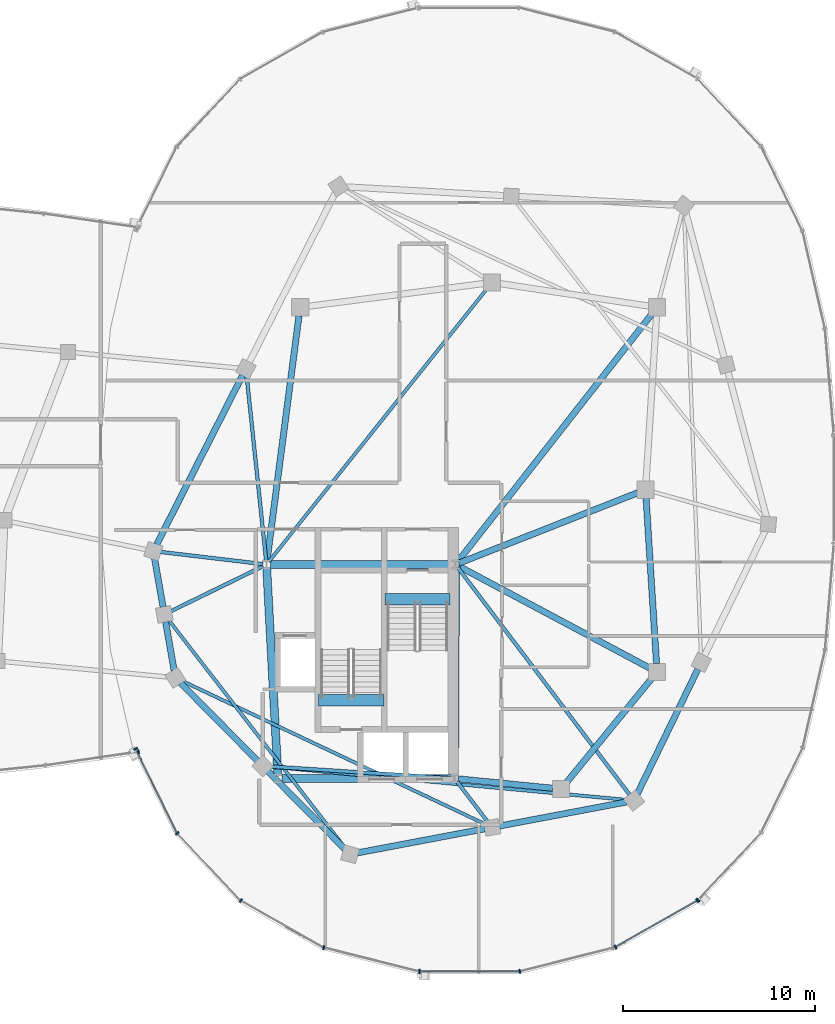
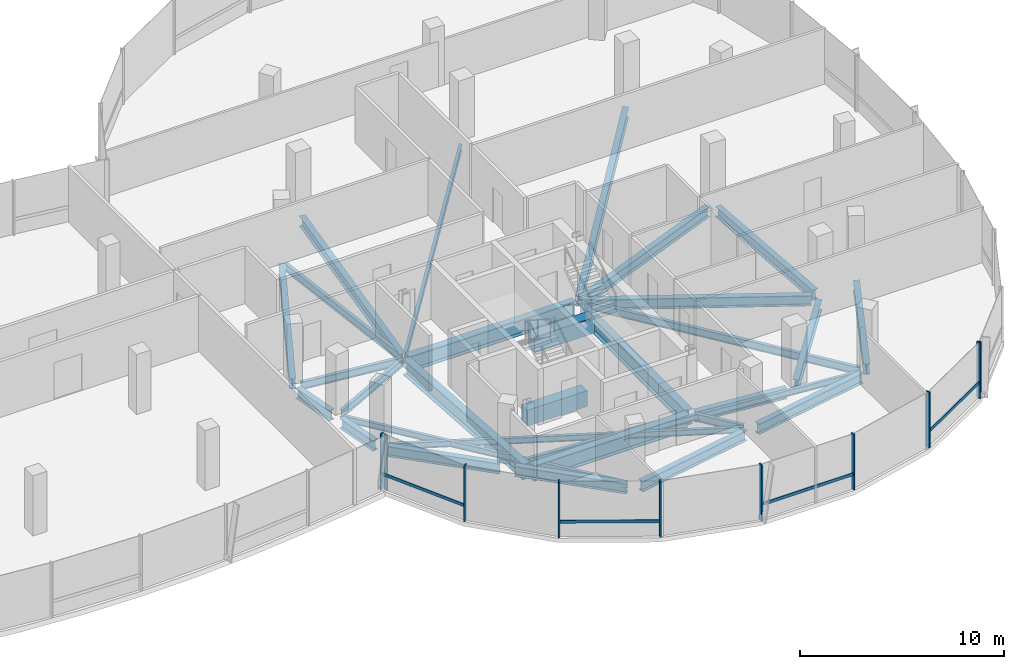
# One storey, part 8 of 26: 31 beams, 14 members, 3 elements without a shape of their own.
"""IFC4 building model written with IfcOpenShell, lengths in metres."""

from ifc_helpers import new_model, si_unit, direction, frame, origin, origin_2d, place, context, subcontext, project, spatial, rectangle, i_section, extrude, material, material_profile, profile_set, type_object, element, aggregate, save


model = new_model("IFC4")

# Units and contexts
model_context = context("Model", 3, precision=1e-05, world=origin(), true_north=direction((0.0, 1.0)))
body_context = subcontext(model_context, "Body", "Model", "MODEL_VIEW")
ifc_project = project(units=[si_unit("LENGTHUNIT", "METRE"), si_unit("AREAUNIT", "SQUARE_METRE"), si_unit("VOLUMEUNIT", "CUBIC_METRE"), si_unit("PLANEANGLEUNIT", "RADIAN"), si_unit("MASSUNIT", "GRAM", prefix="KILO"), si_unit("THERMODYNAMICTEMPERATUREUNIT", "KELVIN"), si_unit("POWERUNIT", "WATT")], contexts=[model_context])

# Site, building, storey
site_placement = place(None, origin())
site = spatial("IfcSite", under=ifc_project, at=site_placement, CompositionType="ELEMENT")
building_placement = place(site_placement, origin())
building = spatial("IfcBuilding", under=site, at=building_placement, Name="Cundina Bronze Exchange", CompositionType="ELEMENT")
storey_placement = place(building_placement, frame((0.0, 0.0, 261.199951171875)))
storey = spatial("IfcBuildingStorey", under=building, at=storey_placement, Name="L69", CompositionType="ELEMENT", Elevation=261.199951171875)

# Beams
ifc_material_1 = material(Name="Concrete C60/75", Category="concrete")
ifc_material_profile_1 = material_profile(ifc_material_1, rectangle(XDim=0.60009765625, YDim=0.949951171875, at=origin_2d()), Name="RC600X950", Category="concrete")
ifc_profile_set_1 = profile_set([ifc_material_profile_1], Name="Concrete C60/75")
beam_type_1 = type_object("IfcBeamType", Name="BM-COUP-RC950", PredefinedType="LINTEL", material=ifc_profile_set_1)
beam_1_placement = place(storey_placement, frame((27.6201171875, -5.719970703125, -0.474853515625), z_axis=(1.0, 0.0, 0.0), x_axis=(0.0, 1.0, 0.0)))
element("IfcBeam", 1, at=beam_1_placement, inside=storey, type_object=beam_type_1, Name="L69 Stair E1 Landing Header Beam", PredefinedType="LINTEL", context=body_context, shape_type="SweptSolid", body=[
    extrude(rectangle(XDim=0.60009765625, YDim=0.949951171875, at=origin_2d()), origin(), (0.0, 0.0, 1.0), 3.39990234375),
])
beam_2_placement = place(storey_placement, frame((24.159912109375, -10.97998046875, -0.474853515625), z_axis=(1.0, 0.0, 0.0), x_axis=(0.0, 1.0, 0.0)))
element("IfcBeam", 2, at=beam_2_placement, inside=storey, type_object=beam_type_1, Name="L69 Stair E2 Landing Header Beam", PredefinedType="LINTEL", context=body_context, shape_type="SweptSolid", body=[
    extrude(rectangle(XDim=0.60009765625, YDim=0.949951171875, at=origin_2d()), origin(), (0.0, 0.0, 1.0), 3.400146484375),
])
ifc_material_2 = material(Name="Steel ASTM A992 Grade 50", Category="steel")
ifc_material_profile_2 = material_profile(ifc_material_2, i_section(OverallWidth=0.19091796875, OverallDepth=0.4599609375, WebThickness=0.010009765625, FlangeThickness=0.01611328125, FilletRadius=0.011962890625, at=origin_2d()), Name="W18X55", Category="steel")
ifc_profile_set_2 = profile_set([ifc_material_profile_2], Name="Steel ASTM A992 Grade 50")
beam_type_2 = type_object("IfcBeamType", Name="BM-FLR-W18B", PredefinedType="BEAM", material=ifc_profile_set_2)
beam_3_placement = place(storey_placement, frame((21.25537109375, -3.876953125, -0.489990234375), z_axis=(-0.993031892142, 0.117845921393, 0.0), x_axis=(-0.117845921393, -0.993031892142, 0.0)))
element("IfcBeam", 3, at=beam_3_placement, inside=storey, type_object=beam_type_2, Name="L69 Leg E Chordal Floor Beam 00", PredefinedType="BEAM", context=body_context, shape_type="SweptSolid", body=[
    extrude(i_section(OverallWidth=0.19091796875, OverallDepth=0.4599609375, WebThickness=0.010009765625, FlangeThickness=0.01611328125, FilletRadius=0.011962890625, at=origin_2d()), origin(), (0.0, 0.0, 1.0), 5.357421875),
])
beam_4_placement = place(storey_placement, frame((21.27392578125, -3.986083984375, -0.489990234375), z_axis=(-0.898610260891, -0.438747762412, 0.0), x_axis=(0.438747762412, -0.898610260891, 0.0)))
element("IfcBeam", 4, at=beam_4_placement, inside=storey, type_object=beam_type_2, Name="L69 Leg E Chordal Floor Beam 01", PredefinedType="BEAM", context=body_context, shape_type="SweptSolid", body=[
    extrude(i_section(OverallWidth=0.19091796875, OverallDepth=0.4599609375, WebThickness=0.010009765625, FlangeThickness=0.01611328125, FilletRadius=0.011962890625, at=origin_2d()), origin(), (0.0, 0.0, 1.0), 5.341796875),
])
beam_5_placement = place(storey_placement, frame((31.054443359375, -15.037353515625, -0.489990234375), z_axis=(-0.997894580734, 0.064856809527, 0.0), x_axis=(-0.064856809527, -0.997894580734, 0.0)))
element("IfcBeam", 5, at=beam_5_placement, inside=storey, type_object=beam_type_2, Name="L69 Leg E Chordal Floor Beam 03", PredefinedType="BEAM", context=body_context, shape_type="SweptSolid", body=[
    extrude(i_section(OverallWidth=0.19091796875, OverallDepth=0.4599609375, WebThickness=0.010009765625, FlangeThickness=0.01611328125, FilletRadius=0.011962890625, at=origin_2d()), origin(), (0.0, 0.0, 1.0), 9.43701171875),
])
beam_6_placement = place(storey_placement, frame((31.369140625, -15.205810546875, -0.489990234375), z_axis=(0.607470812638, -0.794341999263, 0.0), x_axis=(0.794341999263, 0.607470812638, 0.0)))
element("IfcBeam", 6, at=beam_6_placement, inside=storey, type_object=beam_type_2, Name="L69 Leg E Chordal Floor Beam 05", PredefinedType="BEAM", context=body_context, shape_type="SweptSolid", body=[
    extrude(i_section(OverallWidth=0.19091796875, OverallDepth=0.4599609375, WebThickness=0.010009765625, FlangeThickness=0.01611328125, FilletRadius=0.011962890625, at=origin_2d()), origin(), (0.0, 0.0, 1.0), 2.6259765625),
])
beam_7_placement = place(storey_placement, frame((31.418212890625, -4.056396484375, -0.489990234375), z_axis=(0.603112871583, -0.797655855699, 0.0), x_axis=(0.797655855699, 0.603112871583, 0.0)))
element("IfcBeam", 7, at=beam_7_placement, inside=storey, type_object=beam_type_2, Name="L69 Leg E Chordal Floor Beam 06", PredefinedType="BEAM", context=body_context, shape_type="SweptSolid", body=[
    extrude(i_section(OverallWidth=0.19091796875, OverallDepth=0.4599609375, WebThickness=0.010009765625, FlangeThickness=0.01611328125, FilletRadius=0.011962890625, at=origin_2d()), origin(), (0.0, 0.0, 1.0), 14.8359375),
])
beam_8_placement = place(storey_placement, frame((21.429443359375, -3.705078125, -0.489990234375), z_axis=(-0.10480040809, 0.994493275223, 0.0), x_axis=(-0.994493275223, -0.10480040809, 0.0)))
element("IfcBeam", 8, at=beam_8_placement, inside=storey, type_object=beam_type_2, Name="L69 Leg E Chordal Floor Beam 13", PredefinedType="BEAM", context=body_context, shape_type="SweptSolid", body=[
    extrude(i_section(OverallWidth=0.19091796875, OverallDepth=0.4599609375, WebThickness=0.010009765625, FlangeThickness=0.01611328125, FilletRadius=0.011962890625, at=origin_2d()), origin(), (0.0, 0.0, 1.0), 9.67236328125),
])
ifc_material_profile_3 = material_profile(ifc_material_2, i_section(OverallWidth=0.172119140625, OverallDepth=0.35791015625, WebThickness=0.0078125, FlangeThickness=0.01318359375, FilletRadius=0.010009765625, at=origin_2d()), Name="W14X38", Category="steel")
ifc_profile_set_3 = profile_set([ifc_material_profile_3], Name="Steel ASTM A992 Grade 50")
beam_type_3 = type_object("IfcBeamType", Name="BM-JST-W14", PredefinedType="JOIST", material=ifc_profile_set_3)
beam_9_placement = place(storey_placement, frame((21.572509765625, -3.746826171875, -0.43896484375), z_axis=(0.624364266872, 0.781133319129, 0.0), x_axis=(-0.781133319129, 0.624364266872, 0.0)))
element("IfcBeam", 9, at=beam_9_placement, inside=storey, type_object=beam_type_3, Name="L69 E Interior Core-to-Ring Joist 2", PredefinedType="JOIST", context=body_context, shape_type="SweptSolid", body=[
    extrude(i_section(OverallWidth=0.172119140625, OverallDepth=0.35791015625, WebThickness=0.0078125, FlangeThickness=0.01318359375, FilletRadius=0.010009765625, at=origin_2d()), origin(), (0.0, 0.0, 1.0), 18.184814453125),
])
beam_10_placement = place(storey_placement, frame((16.362548828125, -6.806884765625, -0.43896484375), z_axis=(0.612077855816, -0.790797507849, 0.0), x_axis=(0.790797507849, 0.612077855816, 0.0)))
element("IfcBeam", 10, at=beam_10_placement, inside=storey, type_object=beam_type_3, Name="L69 Leg E Lobe Floor Joist 01-04", PredefinedType="JOIST", context=body_context, shape_type="SweptSolid", body=[
    extrude(i_section(OverallWidth=0.172119140625, OverallDepth=0.35791015625, WebThickness=0.0078125, FlangeThickness=0.01318359375, FilletRadius=0.010009765625, at=origin_2d()), origin(), (0.0, 0.0, 1.0), 15.03076171875),
])
beam_11_placement = place(storey_placement, frame((17.05078125, -9.9658203125, -0.43896484375), z_axis=(0.904073247994, -0.427377540661, 0.0), x_axis=(0.427377540661, 0.904073247994, 0.0)))
element("IfcBeam", 11, at=beam_11_placement, inside=storey, type_object=beam_type_3, Name="L69 Leg E Lobe Floor Joist 02-05", PredefinedType="JOIST", context=body_context, shape_type="SweptSolid", body=[
    extrude(i_section(OverallWidth=0.172119140625, OverallDepth=0.35791015625, WebThickness=0.0078125, FlangeThickness=0.01318359375, FilletRadius=0.010009765625, at=origin_2d()), origin(), (0.0, 0.0, 1.0), 17.474609375),
])
beam_12_placement = place(storey_placement, frame((21.63623046875, -14.435791015625, -0.43896484375), z_axis=(0.995700514338, -0.092630911398, 0.0), x_axis=(0.092630911398, 0.995700514338, 0.0)))
element("IfcBeam", 12, at=beam_12_placement, inside=storey, type_object=beam_type_3, Name="L69 Leg E Lobe Floor Joist 03-06", PredefinedType="JOIST", context=body_context, shape_type="SweptSolid", body=[
    extrude(i_section(OverallWidth=0.172119140625, OverallDepth=0.35791015625, WebThickness=0.0078125, FlangeThickness=0.01318359375, FilletRadius=0.010009765625, at=origin_2d()), origin(), (0.0, 0.0, 1.0), 18.65771484375),
])
ifc_material_profile_4 = material_profile(ifc_material_2, i_section(OverallWidth=0.324951171875, OverallDepth=0.615966796875, WebThickness=0.013916015625, FlangeThickness=0.021484375, FilletRadius=0.01611328125, at=origin_2d()), Name="W24X117", Category="steel")
ifc_profile_set_4 = profile_set([ifc_material_profile_4], Name="Steel ASTM A992 Grade 50")
beam_type_4 = type_object("IfcBeamType", Name="BM-RING-W24", PredefinedType="USERDEFINED", material=ifc_profile_set_4)
beam_13_placement = place(storey_placement, frame((31.445068359375, -15.0693359375, -0.56787109375), z_axis=(0.995123854478, -0.09863323096, 0.0), x_axis=(0.09863323096, 0.995123854478, 0.0)))
element("IfcBeam", 13, at=beam_13_placement, inside=storey, type_object=beam_type_4, Name="L69 E Inner Structural Ring Girder 01", ObjectType="GIRDER", PredefinedType="USERDEFINED", context=body_context, shape_type="SweptSolid", body=[
    extrude(i_section(OverallWidth=0.324951171875, OverallDepth=0.615966796875, WebThickness=0.013916015625, FlangeThickness=0.021484375, FilletRadius=0.01611328125, at=origin_2d()), origin(), (0.0, 0.0, 1.0), 4.943115234375),
])
beam_14_placement = place(storey_placement, frame((37.07763671875, -15.26123046875, -0.56787109375), z_axis=(0.633912590175, 0.77340469873, 0.0), x_axis=(-0.77340469873, 0.633912590175, 0.0)))
element("IfcBeam", 14, at=beam_14_placement, inside=storey, type_object=beam_type_4, Name="L69 E Inner Structural Ring Girder 02", ObjectType="GIRDER", PredefinedType="USERDEFINED", context=body_context, shape_type="SweptSolid", body=[
    extrude(i_section(OverallWidth=0.324951171875, OverallDepth=0.615966796875, WebThickness=0.013916015625, FlangeThickness=0.021484375, FilletRadius=0.01611328125, at=origin_2d()), origin(), (0.0, 0.0, 1.0), 7.01123046875),
])
beam_15_placement = place(storey_placement, frame((41.7724609375, -9.06298828125, -0.56787109375), z_axis=(-0.063046519736, 0.998010589297, 0.0), x_axis=(-0.998010589297, -0.063046519736, 0.0)))
element("IfcBeam", 15, at=beam_15_placement, inside=storey, type_object=beam_type_4, Name="L69 E Inner Structural Ring Girder 03", ObjectType="GIRDER", PredefinedType="USERDEFINED", context=body_context, shape_type="SweptSolid", body=[
    extrude(i_section(OverallWidth=0.324951171875, OverallDepth=0.615966796875, WebThickness=0.013916015625, FlangeThickness=0.021484375, FilletRadius=0.01611328125, at=origin_2d()), origin(), (0.0, 0.0, 1.0), 8.64306640625),
])
beam_16_placement = place(storey_placement, frame((23.143310546875, 9.065673828125, -0.56787109375), z_axis=(-0.129501251979, -0.991579258424, 0.0), x_axis=(0.991579258424, -0.129501251979, 0.0)))
element("IfcBeam", 16, at=beam_16_placement, inside=storey, type_object=beam_type_4, Name="L69 E Inner Structural Ring Girder 07", ObjectType="GIRDER", PredefinedType="USERDEFINED", context=body_context, shape_type="SweptSolid", body=[
    extrude(i_section(OverallWidth=0.324951171875, OverallDepth=0.615966796875, WebThickness=0.013916015625, FlangeThickness=0.021484375, FilletRadius=0.01611328125, at=origin_2d()), origin(), (0.0, 0.0, 1.0), 12.8798828125),
])
beam_17_placement = place(storey_placement, frame((31.482421875, -3.828125, -0.56787109375), z_axis=(0.930404106569, 0.366535398673, 0.0), x_axis=(-0.366535398673, 0.930404106569, 0.0)))
element("IfcBeam", 17, at=beam_17_placement, inside=storey, type_object=beam_type_4, Name="L69 E Core-to-Waist Tie Beam 1", ObjectType="GIRDER", PredefinedType="USERDEFINED", context=body_context, shape_type="SweptSolid", body=[
    extrude(i_section(OverallWidth=0.324951171875, OverallDepth=0.615966796875, WebThickness=0.013916015625, FlangeThickness=0.021484375, FilletRadius=0.01611328125, at=origin_2d()), origin(), (0.0, 0.0, 1.0), 10.00634765625),
])
beam_18_placement = place(storey_placement, frame((31.472900390625, -3.9921875, -0.56787109375), z_axis=(0.882350541683, -0.470592734317, 0.0), x_axis=(0.470592734317, 0.882350541683, 0.0)))
element("IfcBeam", 18, at=beam_18_placement, inside=storey, type_object=beam_type_4, Name="L69 E Core-to-Waist Tie Beam 2", ObjectType="GIRDER", PredefinedType="USERDEFINED", context=body_context, shape_type="SweptSolid", body=[
    extrude(i_section(OverallWidth=0.324951171875, OverallDepth=0.615966796875, WebThickness=0.013916015625, FlangeThickness=0.021484375, FilletRadius=0.01611328125, at=origin_2d()), origin(), (0.0, 0.0, 1.0), 11.26611328125),
])
beam_19_placement = place(storey_placement, frame((31.4208984375, -3.74560546875, -0.56787109375), z_axis=(0.616782900053, 0.787133314123, 0.0), x_axis=(-0.787133314123, 0.616782900053, 0.0)))
element("IfcBeam", 19, at=beam_19_placement, inside=storey, type_object=beam_type_4, Name="L69 E Core-to-Waist Tie Beam 3", ObjectType="GIRDER", PredefinedType="USERDEFINED", context=body_context, shape_type="SweptSolid", body=[
    extrude(i_section(OverallWidth=0.324951171875, OverallDepth=0.615966796875, WebThickness=0.013916015625, FlangeThickness=0.021484375, FilletRadius=0.01611328125, at=origin_2d()), origin(), (0.0, 0.0, 1.0), 16.3896484375),
])
for number, where, z_axis, x_axis, name in (
    (20, (15.61669921875, -3.582275390625, -0.56787109375), (0.171593362587, -0.985167862811, 0.0), (0.985167862811, 0.171593362587, 0.0), "L69 E Perimeter Ring Girder 00"),
    (21, (16.191650390625, -6.882080078125, -0.56787109375), (0.171593362587, -0.985167862811, 0.0), (0.985167862811, 0.171593362587, 0.0), "L69 E Perimeter Ring Girder 01"),
):
    element("IfcBeam", number, at=place(storey_placement, frame(where, z_axis=z_axis, x_axis=x_axis)), inside=storey, type_object=beam_type_4, Name=name, ObjectType="GIRDER", PredefinedType="USERDEFINED", context=body_context, shape_type="SweptSolid", body=[
        extrude(i_section(OverallWidth=0.324951171875, OverallDepth=0.615966796875, WebThickness=0.013916015625, FlangeThickness=0.021484375, FilletRadius=0.01611328125, at=origin_2d()), origin(), (0.0, 0.0, 1.0), 2.57373046875),
    ])
beam_20_placement = place(storey_placement, frame((16.972900390625, -10.075927734375, -0.56787109375), z_axis=(0.703237257446, -0.710955244541, 0.0), x_axis=(0.710955244541, 0.703237257446, 0.0)))
element("IfcBeam", 22, at=beam_20_placement, inside=storey, type_object=beam_type_4, Name="L69 E Perimeter Ring Girder 02", ObjectType="GIRDER", PredefinedType="USERDEFINED", context=body_context, shape_type="SweptSolid", body=[
    extrude(i_section(OverallWidth=0.324951171875, OverallDepth=0.615966796875, WebThickness=0.013916015625, FlangeThickness=0.021484375, FilletRadius=0.01611328125, at=origin_2d()), origin(), (0.0, 0.0, 1.0), 5.69384765625),
])
beam_21_placement = place(storey_placement, frame((21.52294921875, -14.67578125, -0.56787109375), z_axis=(0.703215820204, -0.710976448425, 0.0), x_axis=(0.710976448425, 0.703215820204, 0.0)))
element("IfcBeam", 23, at=beam_21_placement, inside=storey, type_object=beam_type_4, Name="L69 E Perimeter Ring Girder 03", ObjectType="GIRDER", PredefinedType="USERDEFINED", context=body_context, shape_type="SweptSolid", body=[
    extrude(i_section(OverallWidth=0.324951171875, OverallDepth=0.615966796875, WebThickness=0.013916015625, FlangeThickness=0.021484375, FilletRadius=0.01611328125, at=origin_2d()), origin(), (0.0, 0.0, 1.0), 5.694091796875),
])
beam_22_placement = place(storey_placement, frame((26.18115234375, -18.927978515625, -0.56787109375), z_axis=(0.982568104771, 0.185902984072, 0.0), x_axis=(-0.185902984072, 0.982568104771, 0.0)))
element("IfcBeam", 24, at=beam_22_placement, inside=storey, type_object=beam_type_4, Name="L69 E Perimeter Ring Girder 04", ObjectType="GIRDER", PredefinedType="USERDEFINED", context=body_context, shape_type="SweptSolid", body=[
    extrude(i_section(OverallWidth=0.324951171875, OverallDepth=0.615966796875, WebThickness=0.013916015625, FlangeThickness=0.021484375, FilletRadius=0.01611328125, at=origin_2d()), origin(), (0.0, 0.0, 1.0), 6.75537109375),
])
beam_23_placement = place(storey_placement, frame((33.581298828125, -17.52783203125, -0.56787109375), z_axis=(0.982573456977, 0.185874693392, 0.0), x_axis=(-0.185874693392, 0.982573456977, 0.0)))
element("IfcBeam", 25, at=beam_23_placement, inside=storey, type_object=beam_type_4, Name="L69 E Perimeter Ring Girder 05", ObjectType="GIRDER", PredefinedType="USERDEFINED", context=body_context, shape_type="SweptSolid", body=[
    extrude(i_section(OverallWidth=0.324951171875, OverallDepth=0.615966796875, WebThickness=0.013916015625, FlangeThickness=0.021484375, FilletRadius=0.01611328125, at=origin_2d()), origin(), (0.0, 0.0, 1.0), 6.755126953125),
])
beam_24_placement = place(storey_placement, frame((40.76953125, -15.85107421875, -0.56787109375), z_axis=(0.437216986791, 0.899356050995, 0.0), x_axis=(-0.899356050995, 0.437216986791, 0.0)))
element("IfcBeam", 26, at=beam_24_placement, inside=storey, type_object=beam_type_4, Name="L69 E Perimeter Ring Girder 06", ObjectType="GIRDER", PredefinedType="USERDEFINED", context=body_context, shape_type="SweptSolid", body=[
    extrude(i_section(OverallWidth=0.324951171875, OverallDepth=0.615966796875, WebThickness=0.013916015625, FlangeThickness=0.021484375, FilletRadius=0.01611328125, at=origin_2d()), origin(), (0.0, 0.0, 1.0), 7.2294921875),
])
beam_25_placement = place(storey_placement, frame((20.19921875, 5.9541015625, -0.56787109375), z_axis=(-0.452839263805, -0.891592171991, 0.0), x_axis=(0.891592171991, -0.452839263805, 0.0)))
element("IfcBeam", 27, at=beam_25_placement, inside=storey, type_object=beam_type_4, Name="L69 E Perimeter Ring Girder 13", ObjectType="GIRDER", PredefinedType="USERDEFINED", context=body_context, shape_type="SweptSolid", body=[
    extrude(i_section(OverallWidth=0.324951171875, OverallDepth=0.615966796875, WebThickness=0.013916015625, FlangeThickness=0.021484375, FilletRadius=0.01611328125, at=origin_2d()), origin(), (0.0, 0.0, 1.0), 9.879150390625),
])
ifc_material_profile_5 = material_profile(ifc_material_2, i_section(OverallWidth=0.41796875, OverallDepth=0.927001953125, WebThickness=0.019287109375, FlangeThickness=0.031982421875, FilletRadius=0.02392578125, at=origin_2d()), Name="W36X231", Category="steel")
ifc_profile_set_5 = profile_set([ifc_material_profile_5], Name="Steel ASTM A992 Grade 50")
beam_type_5 = type_object("IfcBeamType", Name="BM-WRN-W36B", PredefinedType="USERDEFINED", material=ifc_profile_set_5)
beam_26_placement = place(storey_placement, frame((31.10400390625, -3.89990234375, -0.723388671875), z_axis=(-1.0, 0.0, 0.0), x_axis=(0.0, -1.0, 0.0)))
element("IfcBeam", 28, at=beam_26_placement, inside=storey, type_object=beam_type_5, Name="L69 E Core Perimeter Tie Girder 1", ObjectType="GIRDER", PredefinedType="USERDEFINED", context=body_context, shape_type="SweptSolid", body=[
    extrude(i_section(OverallWidth=0.41796875, OverallDepth=0.927001953125, WebThickness=0.019287109375, FlangeThickness=0.031982421875, FilletRadius=0.02392578125, at=origin_2d()), origin(), (0.0, 0.0, 1.0), 9.4580078125),
])
beam_27_placement = place(storey_placement, frame((21.46044921875, -4.095703125, -0.723388671875), z_axis=(0.053749317644, -0.998554460634, 0.0), x_axis=(0.998554460634, 0.053749317644, 0.0)))
element("IfcBeam", 29, at=beam_27_placement, inside=storey, type_object=beam_type_5, Name="L69 E Core Perimeter Tie Girder 2", ObjectType="GIRDER", PredefinedType="USERDEFINED", context=body_context, shape_type="SweptSolid", body=[
    extrude(i_section(OverallWidth=0.41796875, OverallDepth=0.927001953125, WebThickness=0.019287109375, FlangeThickness=0.031982421875, FilletRadius=0.02392578125, at=origin_2d()), origin(), (0.0, 0.0, 1.0), 10.774169921875),
])
beam_28_placement = place(storey_placement, frame((22.24609375, -15.050048828125, -0.723388671875), z_axis=(1.0, 0.0, 0.0), x_axis=(0.0, 1.0, 0.0)))
element("IfcBeam", 30, at=beam_28_placement, inside=storey, type_object=beam_type_5, Name="L69 E Core Perimeter Tie Girder 3", ObjectType="GIRDER", PredefinedType="USERDEFINED", context=body_context, shape_type="SweptSolid", body=[
    extrude(i_section(OverallWidth=0.41796875, OverallDepth=0.927001953125, WebThickness=0.019287109375, FlangeThickness=0.031982421875, FilletRadius=0.02392578125, at=origin_2d()), origin(), (0.0, 0.0, 1.0), 8.807861328125),
])
beam_29_placement = place(storey_placement, frame((31.2509765625, -14.85400390625, -0.723388671875), z_axis=(0.004470623654, 0.999990006712, 0.0), x_axis=(-0.999990006712, 0.004470623654, 0.0)))
element("IfcBeam", 31, at=beam_29_placement, inside=storey, type_object=beam_type_5, Name="L69 E Core Perimeter Tie Girder 4", ObjectType="GIRDER", PredefinedType="USERDEFINED", context=body_context, shape_type="SweptSolid", body=[
    extrude(i_section(OverallWidth=0.41796875, OverallDepth=0.927001953125, WebThickness=0.019287109375, FlangeThickness=0.031982421875, FilletRadius=0.02392578125, at=origin_2d()), origin(), (0.0, 0.0, 1.0), 10.758056640625),
])

# Curtain wall, members
ifc_material_3 = material(Name="Anodised Bronze Aluminium 6063-T6", Category="aluminium")
curtain_wall_type = type_object("IfcCurtainWallType", Name="CWS-SKG-BRG", PredefinedType="NOTDEFINED", material=ifc_material_3)
curtain_wall_1_placement = place(storey_placement, origin())
curtain_wall_1 = element("IfcCurtainWall", 32, at=curtain_wall_1_placement, inside=storey, type_object=curtain_wall_type, Name="L69 CW-06 Curtain Wall Run CWR-L69-E3", PredefinedType="NOTDEFINED")
ifc_material_profile_6 = material_profile(ifc_material_3, rectangle(XDim=0.074951171875, YDim=0.219970703125, at=origin_2d()), Name="AL75X220", Category="aluminium")
ifc_profile_set_6 = profile_set([ifc_material_profile_6], Name="Anodised Bronze Aluminium 6063-T6")
member_type_1 = type_object("IfcMemberType", Name="CWM-MUL-220", PredefinedType="MULLION", material=ifc_profile_set_6)
member_1_placement = place(storey_placement, frame((14.630859375, -13.50390625, 0.0), z_axis=(0.0, 0.0, 1.0), x_axis=(0.440566004113, -0.897720221461, 0.0)))
member_1 = element("IfcMember", 33, at=member_1_placement, type_object=member_type_1, Name="CW-06 Mullion 1", PredefinedType="MULLION", context=body_context, shape_type="SweptSolid", body=[
    extrude(rectangle(XDim=0.074951171875, YDim=0.219970703125, at=origin_2d()), origin(), (0.0, 0.0, 1.0), 3.340087890625),
])
member_2_placement = place(storey_placement, frame((16.8037109375, -17.910400390625, 0.0), z_axis=(0.0, 0.0, 1.0), x_axis=(0.684292606175, -0.729207535023, 0.0)))
member_2 = element("IfcMember", 34, at=member_2_placement, type_object=member_type_1, Name="CW-06 Mullion 2", PredefinedType="MULLION", context=body_context, shape_type="SweptSolid", body=[
    extrude(rectangle(XDim=0.074951171875, YDim=0.219970703125, at=origin_2d()), origin(), (0.0, 0.0, 1.0), 3.340087890625),
])
member_3_placement = place(storey_placement, frame((20.11083984375, -21.419921875, 0.0), z_axis=(0.0, 0.0, 1.0), x_axis=(0.86958112538, -0.493790103568, 0.0)))
member_3 = element("IfcMember", 35, at=member_3_placement, type_object=member_type_1, Name="CW-06 Mullion 3", PredefinedType="MULLION", context=body_context, shape_type="SweptSolid", body=[
    extrude(rectangle(XDim=0.074951171875, YDim=0.219970703125, at=origin_2d()), origin(), (0.0, 0.0, 1.0), 3.340087890625),
])
member_4_placement = place(storey_placement, frame((24.4296875, -23.86181640625, 0.0), z_axis=(0.0, 0.0, 1.0), x_axis=(0.969744325821, -0.244122802168, 0.0)))
member_4 = element("IfcMember", 36, at=member_4_placement, type_object=member_type_1, Name="CW-06 Mullion 4", PredefinedType="MULLION", context=body_context, shape_type="SweptSolid", body=[
    extrude(rectangle(XDim=0.074951171875, YDim=0.219970703125, at=origin_2d()), origin(), (0.0, 0.0, 1.0), 3.340087890625),
])
member_5_placement = place(storey_placement, frame((29.423583984375, -25.110107421875, 0.0), z_axis=(0.0, 0.0, 1.0), x_axis=(1.0, 0.0, 0.0)))
member_5 = element("IfcMember", 37, at=member_5_placement, type_object=member_type_1, Name="CW-06 Mullion 5", PredefinedType="MULLION", context=body_context, shape_type="SweptSolid", body=[
    extrude(rectangle(XDim=0.074951171875, YDim=0.219970703125, at=origin_2d()), origin(), (0.0, 0.0, 1.0), 3.340087890625),
])
member_6_placement = place(storey_placement, frame((34.648193359375, -25.10107421875, 0.0), z_axis=(0.0, 0.0, 1.0), x_axis=(0.969744325821, 0.244122802168, 0.0)))
member_6 = element("IfcMember", 38, at=member_6_placement, type_object=member_type_1, Name="CW-06 Mullion 6", PredefinedType="MULLION", context=body_context, shape_type="SweptSolid", body=[
    extrude(rectangle(XDim=0.074951171875, YDim=0.219970703125, at=origin_2d()), origin(), (0.0, 0.0, 1.0), 3.340087890625),
])
member_7_placement = place(storey_placement, frame((39.634521484375, -23.8359375, 0.0), z_axis=(0.0, 0.0, 1.0), x_axis=(0.86958112538, 0.493790103568, 0.0)))
member_7 = element("IfcMember", 39, at=member_7_placement, type_object=member_type_1, Name="CW-06 Mullion 7", PredefinedType="MULLION", context=body_context, shape_type="SweptSolid", body=[
    extrude(rectangle(XDim=0.074951171875, YDim=0.219970703125, at=origin_2d()), origin(), (0.0, 0.0, 1.0), 3.340087890625),
])
member_8_placement = place(storey_placement, frame((43.88916015625, -21.419921875, 0.0), z_axis=(0.0, 0.0, 1.0), x_axis=(0.86958112538, 0.493790103568, 0.0)))
member_8 = element("IfcMember", 40, at=member_8_placement, type_object=member_type_1, Name="CW-06 End Mullion", PredefinedType="MULLION", context=body_context, shape_type="SweptSolid", body=[
    extrude(rectangle(XDim=0.074951171875, YDim=0.219970703125, at=origin_2d()), origin(), (0.0, 0.0, 1.0), 3.340087890625),
])

# Curtain wall, member
curtain_wall_2_placement = place(storey_placement, origin())
curtain_wall_2 = element("IfcCurtainWall", 41, at=curtain_wall_2_placement, inside=storey, type_object=curtain_wall_type, Name="L69 CW-06 Curtain Wall Run CWR-L69-E4", PredefinedType="NOTDEFINED")
member_9_placement = place(storey_placement, frame((43.940185546875, -21.3798828125, 0.0), z_axis=(0.0, 0.0, 1.0), x_axis=(0.684292606175, 0.729207535023, 0.0)))
member_9 = element("IfcMember", 42, at=member_9_placement, type_object=member_type_1, Name="CW-06 Mullion 1", PredefinedType="MULLION", context=body_context, shape_type="SweptSolid", body=[
    extrude(rectangle(XDim=0.074951171875, YDim=0.219970703125, at=origin_2d()), origin(), (0.0, 0.0, 1.0), 3.340087890625),
])
aggregate(curtain_wall_2, [member_9])

curtain_wall_3_placement = place(storey_placement, origin())
curtain_wall_3 = element("IfcCurtainWall", 43, at=curtain_wall_3_placement, inside=storey, type_object=curtain_wall_type, Name="L69 CW-06 Curtain Wall Run CWR-L69-BRGS", PredefinedType="NOTDEFINED")
member_10_placement = place(storey_placement, frame((14.779296875, -13.658935546875, 0.0), z_axis=(0.0, 0.0, 1.0), x_axis=(0.989525789069, 0.144356201001, 0.0)))
member_10 = element("IfcMember", 44, at=member_10_placement, type_object=member_type_1, Name="CW-06 End Mullion", PredefinedType="MULLION", context=body_context, shape_type="SweptSolid", body=[
    extrude(rectangle(XDim=0.074951171875, YDim=0.219970703125, at=origin_2d()), origin(), (0.0, 0.0, 1.0), 3.280029296875),
])
aggregate(curtain_wall_3, [member_10])

# Member
ifc_material_profile_7 = material_profile(ifc_material_3, rectangle(XDim=0.070068359375, YDim=0.179931640625, at=origin_2d()), Name="AL70X180", Category="aluminium")
ifc_profile_set_7 = profile_set([ifc_material_profile_7], Name="Anodised Bronze Aluminium 6063-T6")
member_type_2 = type_object("IfcMemberType", Name="CWM-TRN-180", PredefinedType="USERDEFINED", material=ifc_profile_set_7)
member_11_placement = place(storey_placement, frame((14.64892578125, -13.541015625, 0.920166015625), z_axis=(0.440554408939, -0.897725911826, 0.0), x_axis=(0.897725911826, 0.440554408939, 0.0)))
member_11 = element("IfcMember", 45, at=member_11_placement, type_object=member_type_2, Name="CW-06 Spandrel Transom 1", ObjectType="TRANSOM", PredefinedType="USERDEFINED", context=body_context, shape_type="SweptSolid", body=[
    extrude(rectangle(XDim=0.070068359375, YDim=0.179931640625, at=origin_2d()), origin(), (0.0, 0.0, 1.0), 4.848388671875),
])

member_12_placement = place(storey_placement, frame((20.146728515625, -21.440185546875, 0.920166015625), z_axis=(0.869557366176, -0.493831941989, 0.0), x_axis=(0.493831941989, 0.869557366176, 0.0)))
member_12 = element("IfcMember", 46, at=member_12_placement, type_object=member_type_2, Name="CW-06 Spandrel Transom 3", ObjectType="TRANSOM", PredefinedType="USERDEFINED", context=body_context, shape_type="SweptSolid", body=[
    extrude(rectangle(XDim=0.070068359375, YDim=0.179931640625, at=origin_2d()), origin(), (0.0, 0.0, 1.0), 4.892822265625),
])

member_13_placement = place(storey_placement, frame((29.464599609375, -25.110107421875, 0.920166015625), z_axis=(1.0, 0.0, 0.0), x_axis=(0.0, 1.0, 0.0)))
member_13 = element("IfcMember", 47, at=member_13_placement, type_object=member_type_2, Name="CW-06 Spandrel Transom 5", ObjectType="TRANSOM", PredefinedType="USERDEFINED", context=body_context, shape_type="SweptSolid", body=[
    extrude(rectangle(XDim=0.070068359375, YDim=0.179931640625, at=origin_2d()), origin(), (0.0, 0.0, 1.0), 5.1533203125),
])

member_14_placement = place(storey_placement, frame((39.67041015625, -23.815673828125, 0.920166015625), z_axis=(0.869558105282, 0.493830640542, 0.0), x_axis=(-0.493830640542, 0.869558105282, 0.0)))
member_14 = element("IfcMember", 48, at=member_14_placement, type_object=member_type_2, Name="CW-06 Spandrel Transom 7", ObjectType="TRANSOM", PredefinedType="USERDEFINED", context=body_context, shape_type="SweptSolid", body=[
    extrude(rectangle(XDim=0.070068359375, YDim=0.179931640625, at=origin_2d()), origin(), (0.0, 0.0, 1.0), 4.810302734375),
])

aggregate(curtain_wall_1, [member_1, member_11, member_2, member_3, member_12, member_4, member_5, member_13, member_6, member_7, member_8, member_14])

save(model, "model.ifc")
